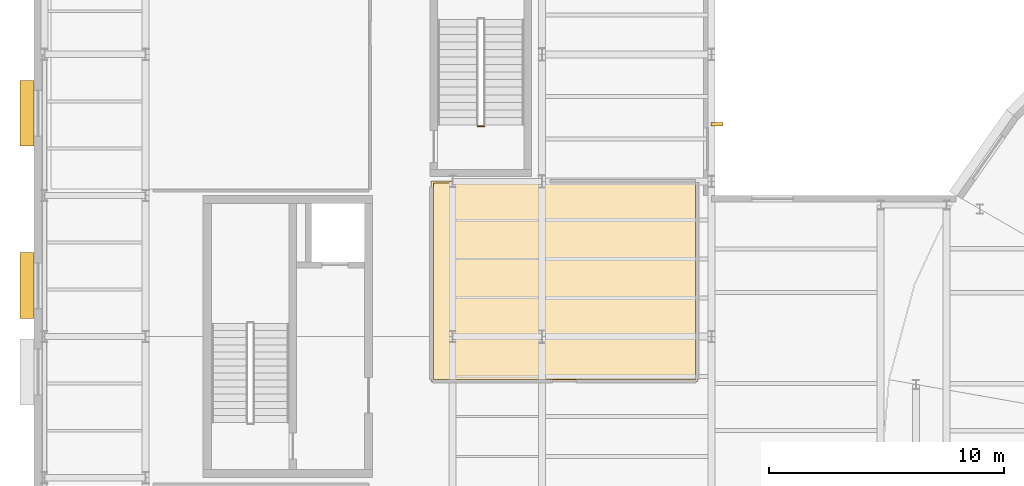
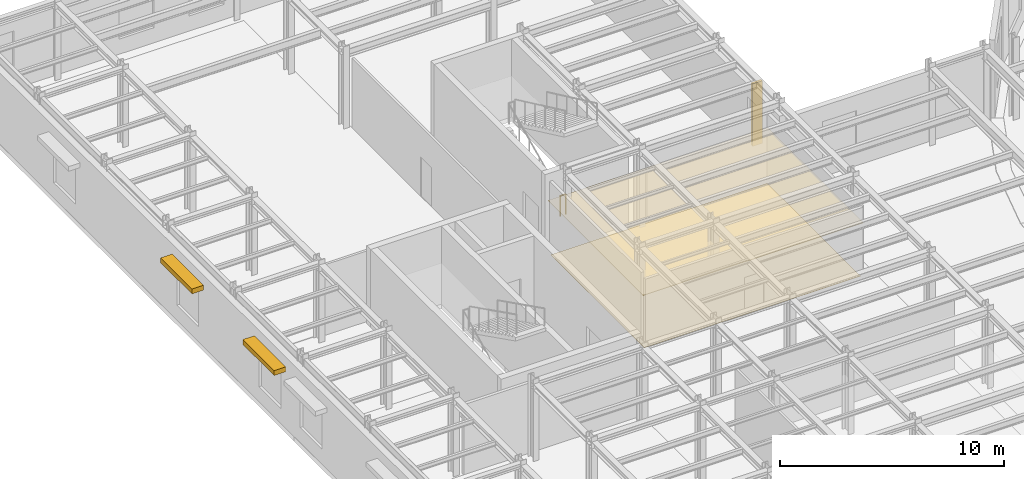
# One storey, part 77 of 91: 3 shading devices, 2 coverings, 1 railing.
"""IFC4 building model written with IfcOpenShell, lengths in metres."""

from ifc_helpers import new_model, si_unit, direction, frame, origin, origin_2d, place, context, subcontext, project, spatial, polyline, rectangle, circle, outline, extrude, material, layer, layer_set, type_object, element, save


model = new_model("IFC4")

# Units and contexts
model_context = context("Model", 3, precision=1e-05, world=origin(), true_north=direction((0.0, 1.0)))
body_context = subcontext(model_context, "Body", "Model", "MODEL_VIEW")
ifc_project = project(units=[si_unit("LENGTHUNIT", "METRE"), si_unit("AREAUNIT", "SQUARE_METRE"), si_unit("VOLUMEUNIT", "CUBIC_METRE"), si_unit("PLANEANGLEUNIT", "RADIAN"), si_unit("MASSUNIT", "GRAM", prefix="KILO")], contexts=[model_context])

# Site, building, storey
site_placement = place(None, origin())
site = spatial("IfcSite", under=ifc_project, at=site_placement, CompositionType="ELEMENT")
building_placement = place(site_placement, origin())
building = spatial("IfcBuilding", under=site, at=building_placement, Name="Kolvaren Corner Interchange", CompositionType="ELEMENT")
storey_placement = place(building_placement, frame((0.0, 0.0, 6.0)))
storey = spatial("IfcBuildingStorey", under=building, at=storey_placement, Name="L02", CompositionType="ELEMENT", Elevation=6.0)

# Coverings
ifc_material_1 = material(Name="Moisture-Resistant Perforated Gypsum Ceiling")
ifc_layer_1 = layer(ifc_material_1, 0.028076171875)
ifc_layer_set_1 = layer_set([ifc_layer_1], Name="Moisture-Resistant Perforated Gypsum Ceiling")
covering_type_1 = type_object("IfcCoveringType", Name="COV-CEIL-GYP28", PredefinedType="CEILING", material=ifc_layer_set_1)
covering_1_placement = place(storey_placement, frame((0.0, 0.0, 2.922119140625)))
element("IfcCovering", 1, at=covering_1_placement, inside=storey, type_object=covering_type_1, Name="L02 Metro Operations Briefing Suite Suspended Ceiling", PredefinedType="CEILING", context=body_context, shape_type="SweptSolid", body=[
    extrude(outline(polyline([(16.8798828125, 52.10009765625), (28.212646484375, 52.08447265625), (28.215576171875, 60.61279296875), (16.88720703125, 60.615478515625), (16.8798828125, 52.10009765625)])), origin(), (0.0, 0.0, 1.0), 0.02783203125),
])
ifc_material_2 = material(Name="Acoustic Tufted Modular Office Carpet Tile")
ifc_layer_2 = layer(ifc_material_2, 0.011962890625)
ifc_layer_set_2 = layer_set([ifc_layer_2], Name="Acoustic Tufted Modular Office Carpet Tile")
covering_type_2 = type_object("IfcCoveringType", Name="COV-FLR-CPT12", PredefinedType="FLOORING", material=ifc_layer_set_2)
covering_2_placement = place(storey_placement, origin())
element("IfcCovering", 2, at=covering_2_placement, inside=storey, type_object=covering_type_2, Name="L02 Metro Operations Briefing Suite Floor Finish", PredefinedType="FLOORING", context=body_context, shape_type="SweptSolid", body=[
    extrude(outline(polyline([(16.97998046875, 52.179931640625), (28.1201171875, 52.179931640625), (28.1201171875, 60.52001953125), (16.97998046875, 60.52001953125), (16.97998046875, 52.179931640625)])), origin(), (0.0, 0.0, 1.0), 0.011962890625),
])

# Railing
ifc_material_3 = material(Name="Powder-Coated Steel Stairwell Guardrail", Category="steel")
railing_type = type_object("IfcRailingType", Name="RLT-STAIR-GRD1120", PredefinedType="GUARDRAIL", material=ifc_material_3)
railing_placement = place(storey_placement, frame((18.860107421875, 62.93994140625, 0.0)))
element("IfcRailing", 3, at=railing_placement, inside=storey, type_object=railing_type, Name="Operations North Wing Protected Exit Stair L02 Landing Edge Guardrail", PredefinedType="GUARDRAIL", context=body_context, shape_type="SweptSolid", body=[
    extrude(circle(Radius=0.02392578125, at=origin_2d()), frame((0.0, 0.0, 1.09619140625), z_axis=(1.0, 0.0, 0.0), x_axis=(0.0, 1.0, 0.0)), (0.0, 0.0, 1.0), 0.27978515625),
    extrude(circle(Radius=0.02001953125, at=origin_2d()), origin(), (0.0, 0.0, 1.0), 1.072021484375),
    extrude(circle(Radius=0.02001953125, at=origin_2d()), frame((0.27978515625, 0.0, 0.0)), (0.0, 0.0, 1.0), 1.072021484375),
])

# Shading devices
ifc_material_4 = material(Name="Cream Ceramic Baguette Brise-Soleil")
shading_device_type_1 = type_object("IfcShadingDeviceType", Name="SHD-BAG-H600", PredefinedType="JALOUSIE", material=ifc_material_4)
for number, where, z_axis, x_axis, name in (
    (4, (-0.2900390625, 63.49609375, 3.080078125), (0.0, 0.0, 1.0), (0.0, -1.0, 0.0), "L02 Ceramic Solar Shading 0048"),
    (5, (-0.2900390625, 56.163818359375, 3.080078125), (0.0, 0.0, 1.0), (0.0, -1.0, 0.0), "L02 Ceramic Solar Shading 0049"),
):
    element("IfcShadingDevice", number, at=place(storey_placement, frame(where, z_axis=z_axis, x_axis=x_axis)), inside=storey, type_object=shading_device_type_1, Name=name, PredefinedType="JALOUSIE", context=body_context, shape_type="SweptSolid", body=[
        extrude(rectangle(XDim=2.800048828125, YDim=0.60009765625, at=origin_2d()), origin(), (0.0, 0.0, 1.0), 0.260009765625),
    ])
ifc_material_5 = material(Name="Vertical Terracotta Solar Fin", Category="masonry")
shading_device_type_2 = type_object("IfcShadingDeviceType", Name="SHD-FIN-V500", PredefinedType="USERDEFINED", material=ifc_material_5)
shading_device_placement = place(storey_placement, frame((29.0400390625, 63.03173828125, 0.295166015625), z_axis=(0.0, 0.0, 1.0), x_axis=(0.0, 1.0, 0.0)))
element("IfcShadingDevice", 6, at=shading_device_placement, inside=storey, type_object=shading_device_type_2, Name="L02 Ceramic Solar Shading 0037", ObjectType="SUNSHADE", PredefinedType="USERDEFINED", context=body_context, shape_type="SweptSolid", body=[
    extrude(rectangle(XDim=0.139892578125, YDim=0.5, at=origin_2d()), origin(), (0.0, 0.0, 1.0), 3.39990234375),
])

save(model, "model.ifc")
